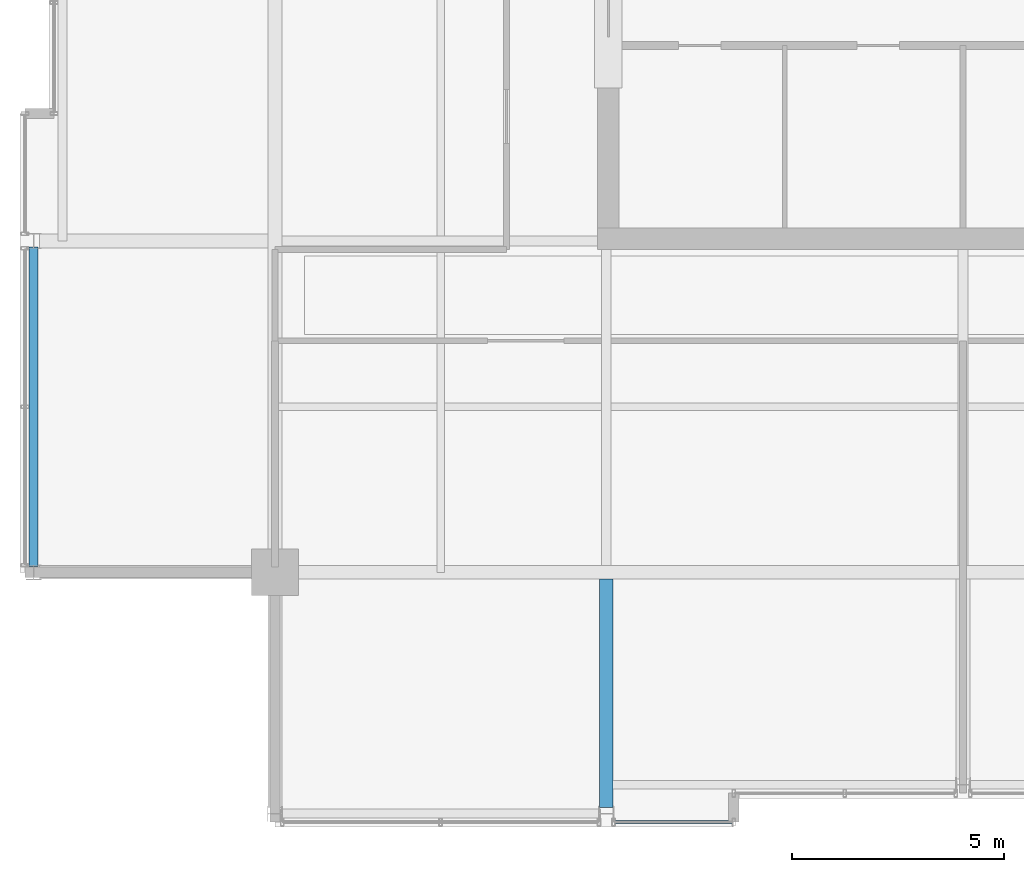
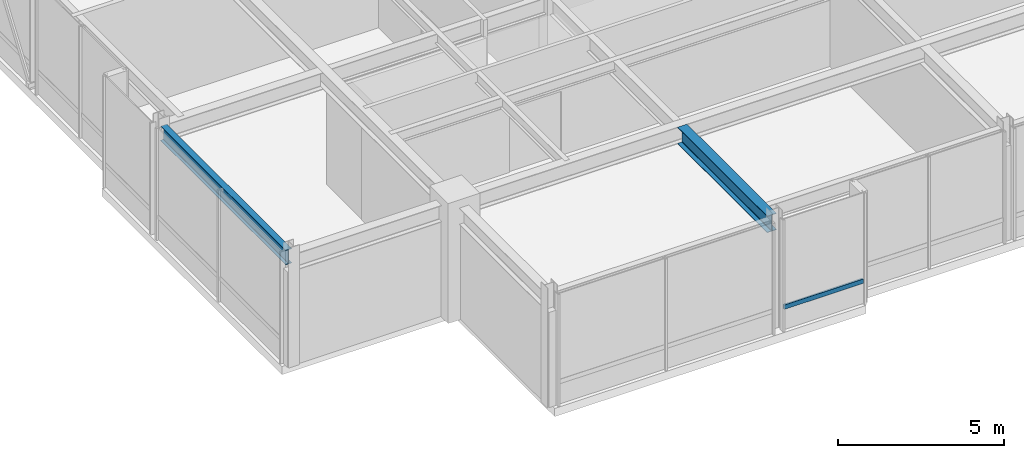
# One storey, part 5 of 34: 2 beams, 1 member, 1 element without a shape of its own.
"""IFC4 building model written with IfcOpenShell, lengths in metres."""

from ifc_helpers import new_model, si_unit, direction, frame, origin, origin_2d, place, context, subcontext, project, spatial, hollow_rectangle, i_section, extrude, material, layer, layer_set, material_profile, profile_set, type_object, element, aggregate, save


model = new_model("IFC4")

# Units and contexts
model_context = context("Model", 3, precision=1e-05, world=origin(), true_north=direction((0.0, 1.0)))
body_context = subcontext(model_context, "Body", "Model", "MODEL_VIEW")
ifc_project = project(units=[si_unit("LENGTHUNIT", "METRE"), si_unit("AREAUNIT", "SQUARE_METRE"), si_unit("VOLUMEUNIT", "CUBIC_METRE"), si_unit("PLANEANGLEUNIT", "RADIAN"), si_unit("MASSUNIT", "GRAM", prefix="KILO")], contexts=[model_context])

# Site, building, storey
site_placement = place(None, origin())
site = spatial("IfcSite", under=ifc_project, at=site_placement, CompositionType="ELEMENT")
building_placement = place(site_placement, origin())
building = spatial("IfcBuilding", under=site, at=building_placement, Name="Drelvath Grand Hotel", CompositionType="ELEMENT")
storey_placement = place(building_placement, frame((0.0, 0.0, 294.199951171875)))
storey = spatial("IfcBuildingStorey", under=building, at=storey_placement, Name="L77", CompositionType="ELEMENT", Elevation=294.199951171875)

# Curtain wall, member
ifc_material_1 = material(Name="Platinum-Mist Anodised Aluminium Frame", Category="aluminium")
ifc_layer = layer(ifc_material_1, 0.199951171875)
ifc_layer_set = layer_set([ifc_layer], Name="Platinum-Mist Anodised Aluminium Frame")
curtain_wall_type = type_object("IfcCurtainWallType", Name="Stick Curtain Wall CW-05 Platinum Mist High-Rise", PredefinedType="NOTDEFINED", material=ifc_layer_set)
curtain_wall_placement = place(storey_placement, origin())
curtain_wall = element("IfcCurtainWall", 1, at=curtain_wall_placement, inside=storey, type_object=curtain_wall_type, Name="L77 CW-05 Curtain Wall CW05-L77-SW2", PredefinedType="NOTDEFINED")
ifc_material_profile_1 = material_profile(ifc_material_1, hollow_rectangle(XDim=0.06494140625, YDim=0.159912109375, WallThickness=0.00390625, at=origin_2d()), Name="HSS160X65X4")
ifc_profile_set_1 = profile_set([ifc_material_profile_1], Name="Platinum-Mist Anodised Aluminium Frame")
member_type = type_object("IfcMemberType", Name="Curtain Wall Horizontal Transom CW-05 HSS160X65X4", PredefinedType="USERDEFINED", material=ifc_profile_set_1)
member_placement = place(storey_placement, frame((-5.43994140625, 4.919921875, 0.85009765625), z_axis=(-1.0, 0.0, 0.0), x_axis=(0.0, -1.0, 0.0)))
member = element("IfcMember", 2, at=member_placement, type_object=member_type, Name="CW05-L77-SW2 Sill Transom", ObjectType="TRANSOM", PredefinedType="USERDEFINED", context=body_context, shape_type="SweptSolid", body=[
    extrude(hollow_rectangle(XDim=0.06494140625, YDim=0.159912109375, WallThickness=0.00390625, at=origin_2d()), origin(), (0.0, 0.0, 1.0), 2.75),
])
aggregate(curtain_wall, [member])

# Beams
ifc_material_2 = material(Name="Steel ASTM A992 Gr 50", Category="steel")
ifc_material_profile_2 = material_profile(ifc_material_2, i_section(OverallWidth=0.210205078125, OverallDepth=0.53662109375, WebThickness=0.010986328125, FlangeThickness=0.017333984375, FilletRadius=0.01806640625, at=origin_2d()), Name="W21X68")
ifc_profile_set_2 = profile_set([ifc_material_profile_2], Name="Steel ASTM A992 Gr 50")
beam_type_1 = type_object("IfcBeamType", Name="Perimeter Spandrel Beam W21X68", PredefinedType="SPANDREL", material=ifc_profile_set_2)
beam_1_placement = place(storey_placement, frame((-21.8798828125, 10.93994140625, 3.831787109375), z_axis=(0.0, 1.0, 0.0), x_axis=(-1.0, 0.0, 0.0)))
element("IfcBeam", 3, at=beam_1_placement, inside=storey, type_object=beam_type_1, Name="L77 Spandrel West S", PredefinedType="SPANDREL", context=body_context, shape_type="SweptSolid", body=[
    extrude(i_section(OverallWidth=0.210205078125, OverallDepth=0.53662109375, WebThickness=0.010986328125, FlangeThickness=0.017333984375, FilletRadius=0.01806640625, at=origin_2d()), origin(), (0.0, 0.0, 1.0), 7.52001953125),
])
ifc_material_profile_3 = material_profile(ifc_material_2, i_section(OverallWidth=0.323974609375, OverallDepth=0.611083984375, WebThickness=0.0126953125, FlangeThickness=0.01904296875, FilletRadius=0.02197265625, at=origin_2d()), Name="W24X104")
ifc_profile_set_3 = profile_set([ifc_material_profile_3], Name="Steel ASTM A992 Gr 50")
beam_type_2 = type_object("IfcBeamType", Name="Primary Floor Girder W24X104", PredefinedType="BEAM", material=ifc_profile_set_3)
beam_2_placement = place(storey_placement, frame((-8.39990234375, 5.260009765625, 3.79443359375), z_axis=(0.0, 1.0, 0.0), x_axis=(-1.0, 0.0, 0.0)))
element("IfcBeam", 4, at=beam_2_placement, inside=storey, type_object=beam_type_2, Name="L77 South Wing Girder 4", PredefinedType="BEAM", context=body_context, shape_type="SweptSolid", body=[
    extrude(i_section(OverallWidth=0.323974609375, OverallDepth=0.611083984375, WebThickness=0.0126953125, FlangeThickness=0.01904296875, FilletRadius=0.02197265625, at=origin_2d()), origin(), (0.0, 0.0, 1.0), 5.3779296875),
])

save(model, "model.ifc")
